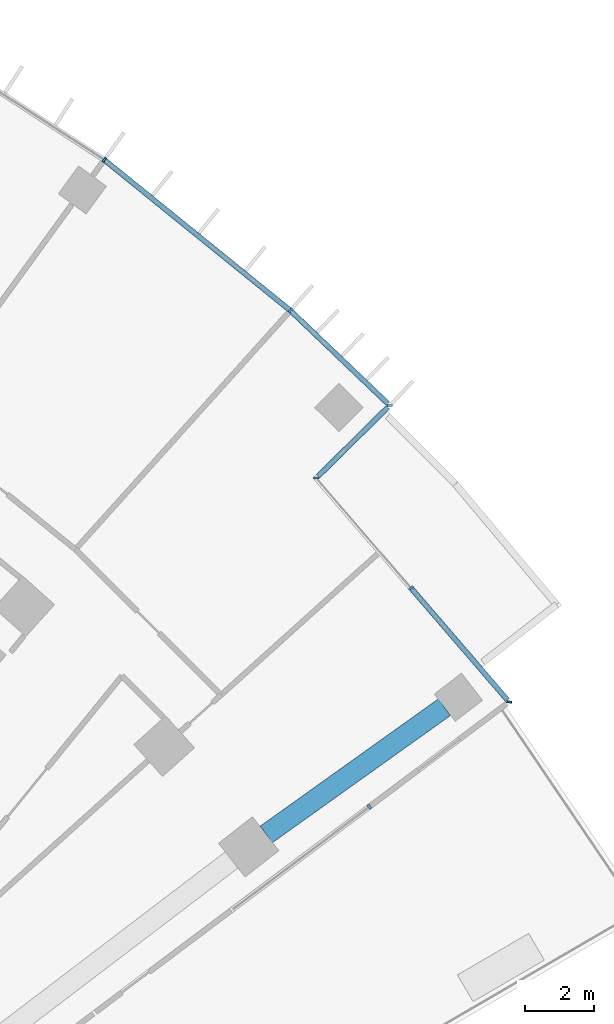
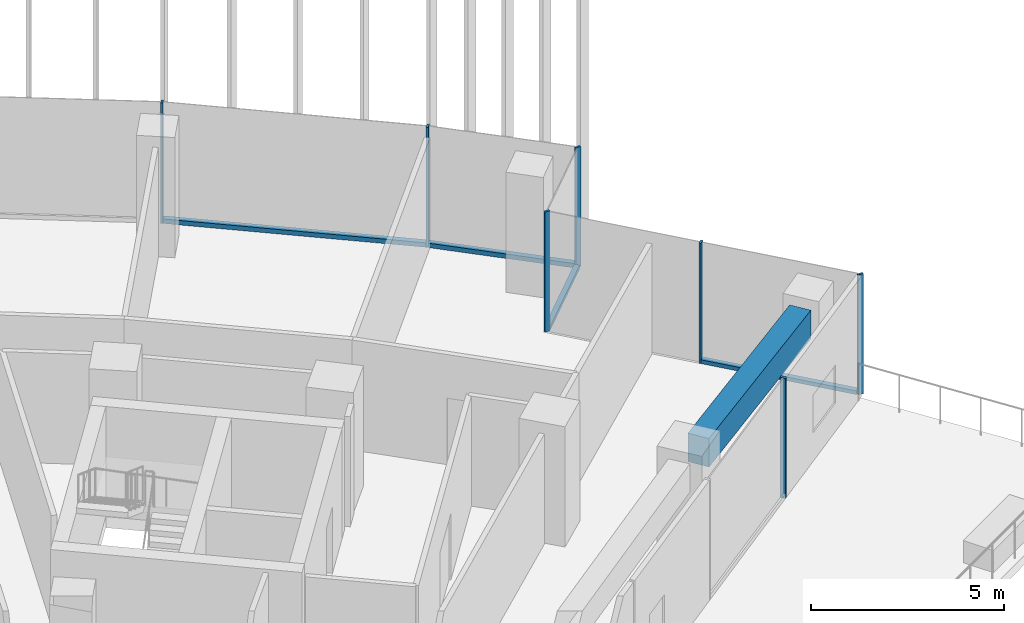
# One storey, part 10 of 23: 11 members, 1 beam, 4 elements without a shape of their own.
"""IFC4 building model written with IfcOpenShell, lengths in metres."""

from ifc_helpers import new_model, si_unit, direction, frame, origin, origin_2d, place, context, subcontext, project, spatial, rectangle, extrude, material, layer, layer_set, material_profile, profile_set, type_object, element, aggregate, save


model = new_model("IFC4")

# Units and contexts
model_context = context("Model", 3, precision=1e-05, world=origin(), true_north=direction((0.0, 1.0)))
body_context = subcontext(model_context, "Body", "Model", "MODEL_VIEW")
ifc_project = project(units=[si_unit("LENGTHUNIT", "METRE"), si_unit("AREAUNIT", "SQUARE_METRE"), si_unit("VOLUMEUNIT", "CUBIC_METRE"), si_unit("PLANEANGLEUNIT", "RADIAN"), si_unit("MASSUNIT", "GRAM", prefix="KILO")], contexts=[model_context])

# Site, building, storey
site_placement = place(None, origin())
site = spatial("IfcSite", under=ifc_project, at=site_placement, CompositionType="ELEMENT")
building_placement = place(site_placement, origin())
building = spatial("IfcBuilding", under=site, at=building_placement, Name="Stone Belt Terrace Tower", CompositionType="ELEMENT")
storey_placement = place(building_placement, frame((0.0, 0.0, 144.0)))
storey = spatial("IfcBuildingStorey", under=building, at=storey_placement, Name="L34", CompositionType="ELEMENT", Elevation=144.0)

# Curtain wall, members
ifc_material_1 = material(Name="Aluminium 6063-T6 anodised frame", Category="aluminium")
ifc_layer_1 = layer(ifc_material_1, 0.14990234375)
ifc_layer_set_1 = layer_set([ifc_layer_1], Name="CW-A unitised convex-face curtain wall")
curtain_wall_type_1 = type_object("IfcCurtainWallType", Name="CW-A unitised convex-face curtain wall", PredefinedType="NOTDEFINED", material=ifc_layer_set_1)
curtain_wall_1_placement = place(storey_placement, origin())
curtain_wall_1 = element("IfcCurtainWall", 1, at=curtain_wall_1_placement, inside=storey, type_object=curtain_wall_type_1, Name="CW-A convex face L34", PredefinedType="NOTDEFINED")
ifc_material_profile_1 = material_profile(ifc_material_1, rectangle(XDim=0.14990234375, YDim=0.06005859375, at=origin_2d()), Name="Aluminium 6063-T6 60x150")
ifc_profile_set_1 = profile_set([ifc_material_profile_1], Name="Aluminium 6063-T6 anodised frame")
member_type_1 = type_object("IfcMemberType", Name="CW-A mullion 60 x 150", PredefinedType="MULLION", material=ifc_profile_set_1)
member_1_placement = place(storey_placement, frame((47.4365234375, 46.715087890625, 0.0), z_axis=(0.0, 0.0, 1.0), x_axis=(-0.999966480105, -0.008187714406, 0.0)))
member_1 = element("IfcMember", 2, at=member_1_placement, type_object=member_type_1, Name="CW-A mullion 1", PredefinedType="MULLION", context=body_context, shape_type="SweptSolid", body=[
    extrude(rectangle(XDim=0.14990234375, YDim=0.06005859375, at=origin_2d()), origin(), (0.0, 0.0, 1.0), 3.800048828125),
])
member_2_placement = place(storey_placement, frame((44.546875, 49.4755859375, 0.0), z_axis=(0.0, 0.0, 1.0), x_axis=(-0.660573481499, -0.75076139721, 0.0)))
member_2 = element("IfcMember", 3, at=member_2_placement, type_object=member_type_1, Name="CW-A mullion 2", PredefinedType="MULLION", context=body_context, shape_type="SweptSolid", body=[
    extrude(rectangle(XDim=0.14990234375, YDim=0.06005859375, at=origin_2d()), origin(), (0.0, 0.0, 1.0), 3.800048828125),
])
member_3_placement = place(storey_placement, frame((39.1318359375, 53.8603515625, 0.0), z_axis=(0.0, 0.0, 1.0), x_axis=(-0.587785252292, -0.809016994375, 0.0)))
member_3 = element("IfcMember", 4, at=member_3_placement, type_object=member_type_1, Name="CW-A mullion 3", PredefinedType="MULLION", context=body_context, shape_type="SweptSolid", body=[
    extrude(rectangle(XDim=0.14990234375, YDim=0.06005859375, at=origin_2d()), origin(), (0.0, 0.0, 1.0), 3.800048828125),
])
ifc_material_profile_2 = material_profile(ifc_material_1, rectangle(XDim=0.14990234375, YDim=0.139892578125, at=origin_2d()), Name="Aluminium 6063-T6 150x140")
ifc_profile_set_2 = profile_set([ifc_material_profile_2], Name="Aluminium 6063-T6 anodised frame")
member_type_2 = type_object("IfcMemberType", Name="CW-A transom 140 x 150", PredefinedType="USERDEFINED", material=ifc_profile_set_2)
member_4_placement = place(storey_placement, frame((47.382568359375, 46.766845703125, 0.070068359375), z_axis=(-0.723150258233, 0.690690744124, 0.0), x_axis=(-0.690690744124, -0.723150258233, 0.0)))
member_4 = element("IfcMember", 5, at=member_4_placement, type_object=member_type_2, Name="CW-A transom 1.1", ObjectType="TRANSOM", PredefinedType="USERDEFINED", context=body_context, shape_type="SweptSolid", body=[
    extrude(rectangle(XDim=0.14990234375, YDim=0.139892578125, at=origin_2d()), origin(), (0.0, 0.0, 1.0), 3.888671875),
])
member_5_placement = place(storey_placement, frame((44.52099609375, 49.496337890625, 0.070068359375), z_axis=(-0.777141048626, 0.629326457842, 0.0), x_axis=(-0.629326457842, -0.777141048626, 0.0)))
member_5 = element("IfcMember", 6, at=member_5_placement, type_object=member_type_2, Name="CW-A transom 2.1", ObjectType="TRANSOM", PredefinedType="USERDEFINED", context=body_context, shape_type="SweptSolid", body=[
    extrude(rectangle(XDim=0.14990234375, YDim=0.139892578125, at=origin_2d()), origin(), (0.0, 0.0, 1.0), 6.900634765625),
])
aggregate(curtain_wall_1, [member_1, member_2, member_3, member_4, member_5])

ifc_layer_2 = layer(ifc_material_1, 0.14990234375)
ifc_layer_set_2 = layer_set([ifc_layer_2], Name="CW-C stick curtain wall, horn ends and notches")
curtain_wall_type_2 = type_object("IfcCurtainWallType", Name="CW-C stick curtain wall, horn ends and notches", PredefinedType="NOTDEFINED", material=ifc_layer_set_2)
curtain_wall_2_placement = place(storey_placement, origin())
curtain_wall_2 = element("IfcCurtainWall", 7, at=curtain_wall_2_placement, inside=storey, type_object=curtain_wall_type_2, Name="CW-C notch face L34", PredefinedType="NOTDEFINED")
ifc_material_profile_3 = material_profile(ifc_material_1, rectangle(XDim=0.14990234375, YDim=0.06005859375, at=origin_2d()), Name="Aluminium 6063-T6 60x150")
ifc_profile_set_3 = profile_set([ifc_material_profile_3], Name="Aluminium 6063-T6 anodised frame")
member_type_3 = type_object("IfcMemberType", Name="CW-C mullion 60 x 150", PredefinedType="MULLION", material=ifc_profile_set_3)
member_6_placement = place(storey_placement, frame((50.908447265625, 38.08935546875, 0.0), z_axis=(0.0, 0.0, 1.0), x_axis=(-0.994169356535, 0.107829914807, 0.0)))
member_6 = element("IfcMember", 8, at=member_6_placement, type_object=member_type_3, Name="CW-C mullion 1", PredefinedType="MULLION", context=body_context, shape_type="SweptSolid", body=[
    extrude(rectangle(XDim=0.14990234375, YDim=0.06005859375, at=origin_2d()), origin(), (0.0, 0.0, 1.0), 3.800048828125),
])
member_7_placement = place(storey_placement, frame((48.05322265625, 41.40283203125, 0.0), z_axis=(0.0, 0.0, 1.0), x_axis=(-0.757583847343, -0.652737860281, 0.0)))
member_7 = element("IfcMember", 9, at=member_7_placement, type_object=member_type_3, Name="CW-C mullion 2", PredefinedType="MULLION", context=body_context, shape_type="SweptSolid", body=[
    extrude(rectangle(XDim=0.14990234375, YDim=0.06005859375, at=origin_2d()), origin(), (0.0, 0.0, 1.0), 3.800048828125),
])

# Curtain wall, member
curtain_wall_3_placement = place(storey_placement, origin())
curtain_wall_3 = element("IfcCurtainWall", 10, at=curtain_wall_3_placement, inside=storey, type_object=curtain_wall_type_2, Name="CW-C notch face L34", PredefinedType="NOTDEFINED")
member_8_placement = place(storey_placement, frame((45.29638671875, 44.602783203125, 0.0), z_axis=(0.0, 0.0, 1.0), x_axis=(-0.999185209744, 0.040359839301, 0.0)))
member_8 = element("IfcMember", 11, at=member_8_placement, type_object=member_type_3, Name="CW-C mullion 1", PredefinedType="MULLION", context=body_context, shape_type="SweptSolid", body=[
    extrude(rectangle(XDim=0.14990234375, YDim=0.06005859375, at=origin_2d()), origin(), (0.0, 0.0, 1.0), 3.800048828125),
])

# Member
ifc_material_profile_4 = material_profile(ifc_material_1, rectangle(XDim=0.14990234375, YDim=0.1201171875, at=origin_2d()), Name="Aluminium 6063-T6 150x120")
ifc_profile_set_4 = profile_set([ifc_material_profile_4], Name="Aluminium 6063-T6 anodised frame")
member_type_4 = type_object("IfcMemberType", Name="CW-C transom 120 x 150", PredefinedType="USERDEFINED", material=ifc_profile_set_4)
member_9_placement = place(storey_placement, frame((50.859130859375, 38.146240234375, 0.06005859375), z_axis=(-0.652743872196, 0.757578667407, 0.0), x_axis=(-0.757578667407, -0.652743872196, 0.0)))
member_9 = element("IfcMember", 12, at=member_9_placement, type_object=member_type_4, Name="CW-C transom 1.1", ObjectType="TRANSOM", PredefinedType="USERDEFINED", context=body_context, shape_type="SweptSolid", body=[
    extrude(rectangle(XDim=0.14990234375, YDim=0.1201171875, at=origin_2d()), origin(), (0.0, 0.0, 1.0), 4.268798828125),
])

aggregate(curtain_wall_2, [member_6, member_7, member_9])

member_10_placement = place(storey_placement, frame((45.348388671875, 44.654052734375, 0.06005859375), z_axis=(0.711744791626, 0.702438147877, 0.0), x_axis=(-0.702438147877, 0.711744791626, 0.0)))
member_10 = element("IfcMember", 13, at=member_10_placement, type_object=member_type_4, Name="CW-C transom 1.1", ObjectType="TRANSOM", PredefinedType="USERDEFINED", context=body_context, shape_type="SweptSolid", body=[
    extrude(rectangle(XDim=0.14990234375, YDim=0.1201171875, at=origin_2d()), origin(), (0.0, 0.0, 1.0), 2.859375),
])

aggregate(curtain_wall_3, [member_8, member_10])

# Curtain wall, member
ifc_layer_3 = layer(ifc_material_1, 0.14990234375)
ifc_layer_set_3 = layer_set([ifc_layer_3], Name="CW-E conservatory and damper hall curtain wall")
curtain_wall_type_3 = type_object("IfcCurtainWallType", Name="CW-E conservatory and damper hall curtain wall", PredefinedType="NOTDEFINED", material=ifc_layer_set_3)
curtain_wall_4_placement = place(storey_placement, origin())
curtain_wall_4 = element("IfcCurtainWall", 14, at=curtain_wall_4_placement, inside=storey, type_object=curtain_wall_type_3, Name="CW-E end face L34", PredefinedType="NOTDEFINED")
ifc_material_profile_5 = material_profile(ifc_material_1, rectangle(XDim=0.14990234375, YDim=0.080078125, at=origin_2d()), Name="Aluminium 6063-T6 80x150")
ifc_profile_set_5 = profile_set([ifc_material_profile_5], Name="Aluminium 6063-T6 anodised frame")
member_type_5 = type_object("IfcMemberType", Name="CW-E mullion 80 x 150", PredefinedType="MULLION", material=ifc_profile_set_5)
member_11_placement = place(storey_placement, frame((46.84423828125, 35.041015625, 0.0), z_axis=(0.0, 0.0, 1.0), x_axis=(-0.600017992436, 0.799986505357, 0.0)))
member_11 = element("IfcMember", 15, at=member_11_placement, type_object=member_type_5, Name="CW-E mullion 4", PredefinedType="MULLION", context=body_context, shape_type="SweptSolid", body=[
    extrude(rectangle(XDim=0.14990234375, YDim=0.080078125, at=origin_2d()), origin(), (0.0, 0.0, 1.0), 3.800048828125),
])
aggregate(curtain_wall_4, [member_11])

# Beam
ifc_material_2 = material(Name="Concrete B60", Category="concrete")
ifc_material_profile_6 = material_profile(ifc_material_2, rectangle(XDim=0.60009765625, YDim=0.89990234375, at=origin_2d()), Name="RC 600x900")
ifc_profile_set_6 = profile_set([ifc_material_profile_6], Name="Concrete B60")
beam_type = type_object("IfcBeamType", Name="Edge beam RC 600x900 B60", PredefinedType="SPANDREL", material=ifc_profile_set_6)
beam_placement = place(storey_placement, frame((43.842529296875, 34.23388671875, 3.030029296875), z_axis=(0.813774908454, 0.581180177201, 0.0), x_axis=(-0.581180177201, 0.813774908454, 0.0)))
element("IfcBeam", 16, at=beam_placement, inside=storey, type_object=beam_type, Name="Edge beam L34 B Q to R", PredefinedType="SPANDREL", context=body_context, shape_type="SweptSolid", body=[
    extrude(rectangle(XDim=0.60009765625, YDim=0.89990234375, at=origin_2d()), origin(), (0.0, 0.0, 1.0), 6.369140625),
])

save(model, "model.ifc")
